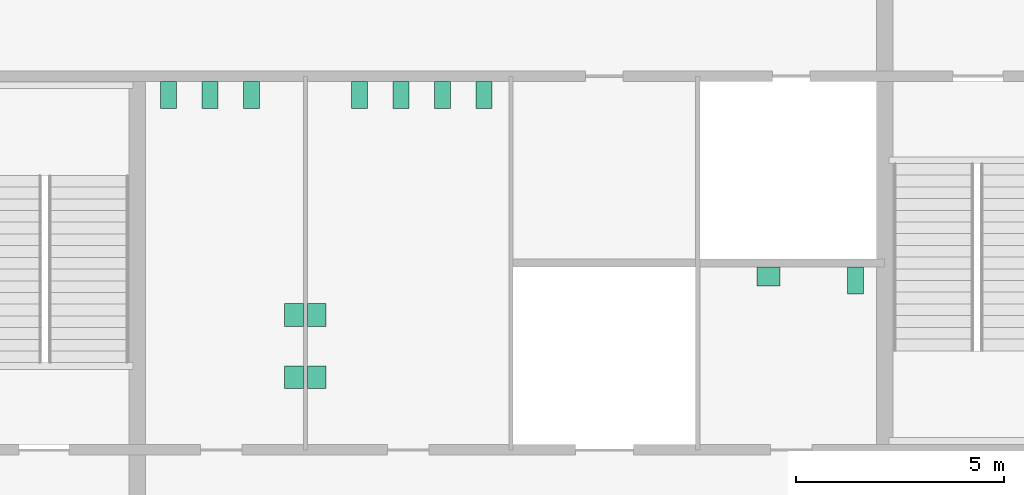
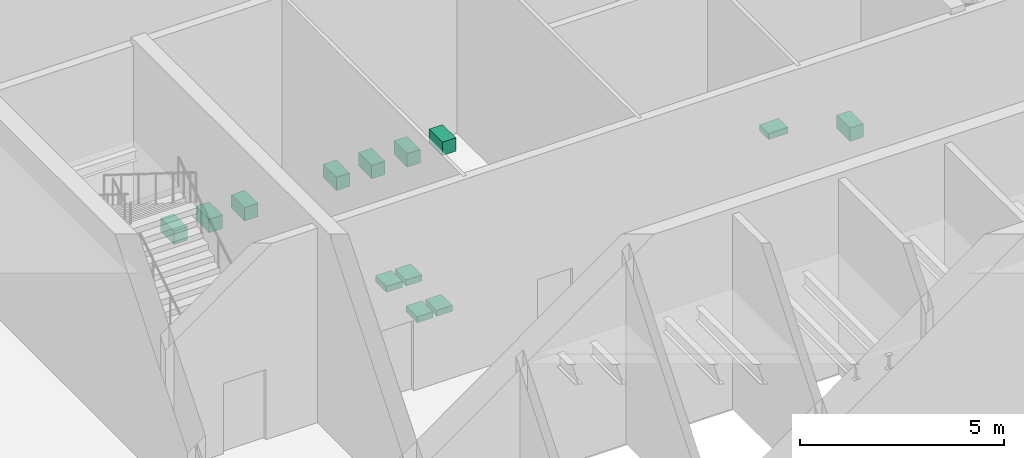
# One storey, part 10 of 10: 13 sanitary terminals.
"""IFC4 building model written with IfcOpenShell, lengths in metres."""

from ifc_helpers import new_model, si_unit, direction, frame, origin, origin_2d, place, context, subcontext, project, spatial, rectangle, extrude, material, type_object, element, save


model = new_model("IFC4")

# Units and contexts
model_context = context("Model", 3, precision=1e-05, world=origin(), true_north=direction((0.0, 1.0)))
body_context = subcontext(model_context, "Body", "Model", "MODEL_VIEW")
ifc_project = project(units=[si_unit("LENGTHUNIT", "METRE"), si_unit("AREAUNIT", "SQUARE_METRE"), si_unit("VOLUMEUNIT", "CUBIC_METRE"), si_unit("PLANEANGLEUNIT", "RADIAN"), si_unit("MASSUNIT", "GRAM", prefix="KILO")], contexts=[model_context])

# Site, building, storey
site_placement = place(None, origin())
site = spatial("IfcSite", under=ifc_project, at=site_placement, CompositionType="ELEMENT")
building_placement = place(site_placement, origin())
building = spatial("IfcBuilding", under=site, at=building_placement, Name="Corais Broadcast Tower", CompositionType="ELEMENT")
storey_placement = place(building_placement, frame((0.0, 0.0, 199.60009765625)))
storey = spatial("IfcBuildingStorey", under=building, at=storey_placement, Name="L46", CompositionType="ELEMENT", Elevation=199.60009765625)

# Sanitary terminals
ifc_material_1 = material(Name="Vitreous china", Category="ceramic")
sanitary_terminal_type_1 = type_object("IfcSanitaryTerminalType", Name="WC pan 380x650", PredefinedType="TOILETPAN", material=ifc_material_1)
for number, where, z_axis, x_axis, name in (
    (1, (18.75, 31.050048828125, 0.0), (0.0, 0.0, 1.0), (1.0, 0.0, 0.0), "SW1 WC pan, male toilets L46"),
    (2, (19.75, 31.050048828125, 0.0), (0.0, 0.0, 1.0), (1.0, 0.0, 0.0), "SW1 WC pan, male toilets L46"),
    (3, (20.75, 31.050048828125, 0.0), (0.0, 0.0, 1.0), (1.0, 0.0, 0.0), "SW1 WC pan, male toilets L46"),
    (4, (23.35009765625, 31.050048828125, 0.0), (0.0, 0.0, 1.0), (1.0, 0.0, 0.0), "SW1 WC pan, female toilets L46"),
    (5, (24.35009765625, 31.050048828125, 0.0), (0.0, 0.0, 1.0), (1.0, 0.0, 0.0), "SW1 WC pan, female toilets L46"),
    (6, (25.35009765625, 31.050048828125, 0.0), (0.0, 0.0, 1.0), (1.0, 0.0, 0.0), "SW1 WC pan, female toilets L46"),
    (7, (26.35009765625, 31.050048828125, 0.0), (0.0, 0.0, 1.0), (1.0, 0.0, 0.0), "SW1 WC pan, female toilets L46"),
    (8, (35.300048828125, 26.574951171875, 0.0), (0.0, 0.0, 1.0), (1.0, 0.0, 0.0), "SW1 WC pan, accessible WC L46"),
):
    element("IfcSanitaryTerminal", number, at=place(storey_placement, frame(where, z_axis=z_axis, x_axis=x_axis)), inside=storey, type_object=sanitary_terminal_type_1, Name=name, PredefinedType="TOILETPAN", context=body_context, shape_type="SweptSolid", body=[
        extrude(rectangle(XDim=0.3798828125, YDim=0.64990234375, at=origin_2d()), origin(), (0.0, 0.0, 1.0), 0.39990234375),
    ])
ifc_material_2 = material(Name="Vitreous china", Category="ceramic")
sanitary_terminal_type_2 = type_object("IfcSanitaryTerminalType", Name="Wash basin 550x450", PredefinedType="WASHHANDBASIN", material=ifc_material_2)
for number, where, z_axis, x_axis, name in (
    (9, (21.77490234375, 24.25, 0.69970703125), (0.0, 0.0, 1.0), (1.0, 0.0, 0.0), "WB1 wash basin, male toilets L46"),
    (10, (21.77490234375, 25.75, 0.69970703125), (0.0, 0.0, 1.0), (1.0, 0.0, 0.0), "WB1 wash basin, male toilets L46"),
    (11, (22.324951171875, 24.25, 0.69970703125), (0.0, 0.0, 1.0), (1.0, 0.0, 0.0), "WB1 wash basin, female toilets L46"),
    (12, (22.324951171875, 25.75, 0.69970703125), (0.0, 0.0, 1.0), (1.0, 0.0, 0.0), "WB1 wash basin, female toilets L46"),
):
    element("IfcSanitaryTerminal", number, at=place(storey_placement, frame(where, z_axis=z_axis, x_axis=x_axis)), inside=storey, type_object=sanitary_terminal_type_2, Name=name, PredefinedType="WASHHANDBASIN", context=body_context, shape_type="SweptSolid", body=[
        extrude(rectangle(XDim=0.449951171875, YDim=0.550048828125, at=origin_2d()), origin(), (0.0, 0.0, 1.0), 0.179931640625),
    ])
sanitary_terminal_placement = place(storey_placement, frame((33.199951171875, 26.675048828125, 0.69970703125), z_axis=(0.0, 0.0, 1.0), x_axis=(1.0, 0.0, 0.0)))
element("IfcSanitaryTerminal", 13, at=sanitary_terminal_placement, inside=storey, type_object=sanitary_terminal_type_2, Name="WB1 wash basin, accessible WC L46", PredefinedType="WASHHANDBASIN", context=body_context, shape_type="SweptSolid", body=[
    extrude(rectangle(XDim=0.550048828125, YDim=0.449951171875, at=origin_2d()), origin(), (0.0, 0.0, 1.0), 0.179931640625),
])

save(model, "model.ifc")
